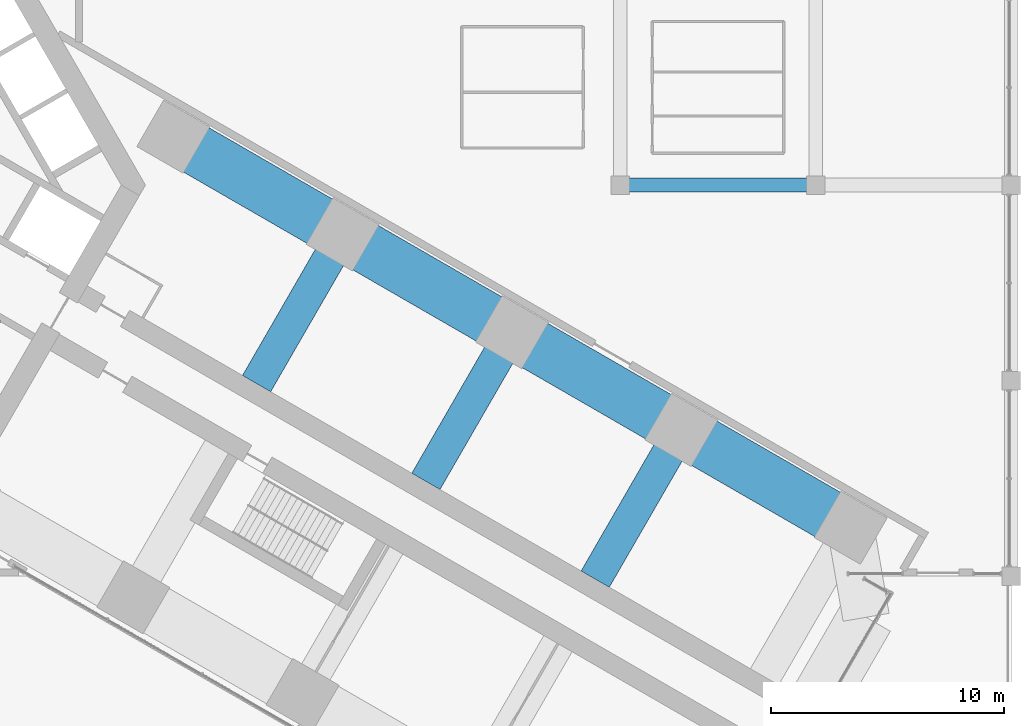
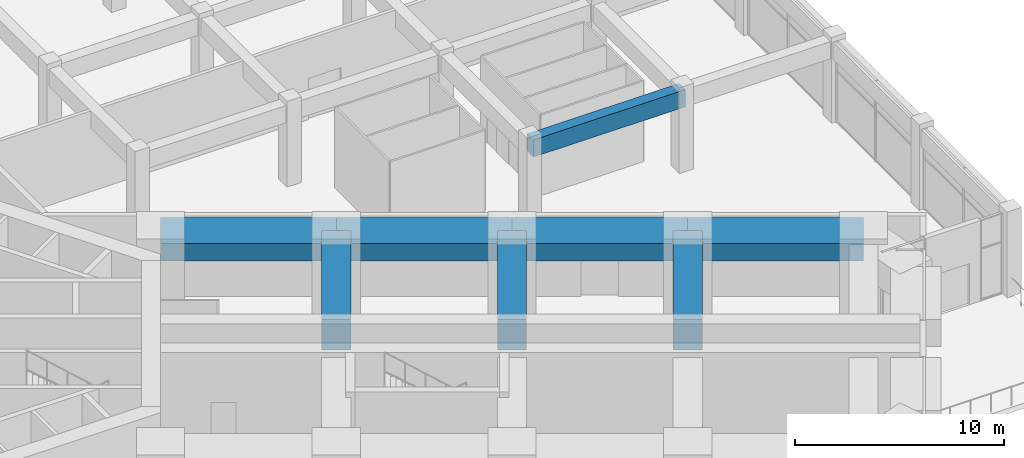
# One storey, part 13 of 34: 8 beams.
"""IFC4 building model written with IfcOpenShell, lengths in metres."""

from ifc_helpers import new_model, si_unit, direction, frame, origin, origin_2d, place, context, subcontext, project, spatial, rectangle, extrude, material, material_profile, profile_set, type_object, element, save


model = new_model("IFC4")

# Units and contexts
model_context = context("Model", 3, precision=1e-05, world=origin(), true_north=direction((0.0, 1.0)))
body_context = subcontext(model_context, "Body", "Model", "MODEL_VIEW")
ifc_project = project(units=[si_unit("LENGTHUNIT", "METRE"), si_unit("AREAUNIT", "SQUARE_METRE"), si_unit("VOLUMEUNIT", "CUBIC_METRE"), si_unit("PLANEANGLEUNIT", "RADIAN"), si_unit("MASSUNIT", "GRAM", prefix="KILO")], contexts=[model_context])

# Site, building, storey
site_placement = place(None, origin())
site = spatial("IfcSite", under=ifc_project, at=site_placement, CompositionType="ELEMENT")
building_placement = place(site_placement, origin())
building = spatial("IfcBuilding", under=site, at=building_placement, Name="Impinga Residences", CompositionType="ELEMENT")
storey_placement = place(building_placement, frame((0.0, 0.0, 16.0)))
storey = spatial("IfcBuildingStorey", under=building, at=storey_placement, Name="L03", CompositionType="ELEMENT", Elevation=16.0)

# Beams
ifc_material = material(Name="Concrete C60/75", Category="concrete")
ifc_material_profile_1 = material_profile(ifc_material, rectangle(XDim=1.39990234375, YDim=1.800048828125, at=origin_2d()), Name="RC 1400x1800")
ifc_profile_set_1 = profile_set([ifc_material_profile_1], Name="Concrete C60/75")
beam_type_1 = type_object("IfcBeamType", Name="CG4 1400x1800 cross girder on a wing bay line under the podium floors", PredefinedType="BEAM", material=ifc_profile_set_1)
beam_1_placement = place(storey_placement, frame((17.974609375, -8.530029296875, 3.800048828125), z_axis=(0.500003285667, 0.866023506795, 0.0), x_axis=(-0.866023506795, 0.500003285667, 0.0)))
element("IfcBeam", 1, at=beam_1_placement, inside=storey, type_object=beam_type_1, Name="Beam CG4 E2 EC/EA level L04", PredefinedType="BEAM", context=body_context, shape_type="SweptSolid", body=[
    extrude(rectangle(XDim=1.39990234375, YDim=1.800048828125, at=origin_2d()), origin(), (0.0, 0.0, 1.0), 7.39990234375),
])
for number, where, z_axis, x_axis, name in (
    (2, (25.249267578125, -12.730224609375, 3.800048828125), (0.499988999718, 0.866031754707, 0.0), (-0.866031754707, 0.499988999718, 0.0), "Beam CG4 E3 EC/EA level L04"),
    (3, (32.52392578125, -16.93017578125, 3.800048828125), (0.499988999718, 0.866031754707, 0.0), (-0.866031754707, 0.499988999718, 0.0), "Beam CG4 E4 EC/EA level L04"),
):
    element("IfcBeam", number, at=place(storey_placement, frame(where, z_axis=z_axis, x_axis=x_axis)), inside=storey, type_object=beam_type_1, Name=name, PredefinedType="BEAM", context=body_context, shape_type="SweptSolid", body=[
        extrude(rectangle(XDim=1.39990234375, YDim=1.800048828125, at=origin_2d()), origin(), (0.0, 0.0, 1.0), 7.400146484375),
    ])
ifc_material_profile_2 = material_profile(ifc_material, rectangle(XDim=0.60009765625, YDim=1.0, at=origin_2d()), Name="RC 600x1000")
ifc_profile_set_2 = profile_set([ifc_material_profile_2], Name="Concrete C60/75")
beam_type_2 = type_object("IfcBeamType", Name="PB2 600x1000 podium beam", PredefinedType="BEAM", material=ifc_profile_set_2)
beam_2_placement = place(storey_placement, frame((33.60009765625, 0.0, 4.199951171875), z_axis=(1.0, 0.0, 0.0), x_axis=(0.0, 1.0, 0.0)))
element("IfcBeam", 4, at=beam_2_placement, inside=storey, type_object=beam_type_2, Name="Beam PB2 F/11-12 level L04", PredefinedType="BEAM", context=body_context, shape_type="SweptSolid", body=[
    extrude(rectangle(XDim=0.60009765625, YDim=1.0, at=origin_2d()), origin(), (0.0, 0.0, 1.0), 8.39990234375),
])
ifc_material_profile_3 = material_profile(ifc_material, rectangle(XDim=2.199951171875, YDim=1.0, at=origin_2d()), Name="RC 2200x1000")
ifc_profile_set_3 = profile_set([ifc_material_profile_3], Name="Concrete C60/75")
beam_type_3 = type_object("IfcBeamType", Name="PB3 2200x1000 podium band beam", PredefinedType="BEAM", material=ifc_profile_set_3)
for number, where, z_axis, x_axis, name in (
    (5, (14.39990234375, 2.078369140625, 4.199951171875), (0.86602925447, -0.499993330357, 0.0), (0.499993330357, 0.86602925447, 0.0), "Beam PB3 EA E1-E2 level L04"),
    (6, (21.674560546875, -2.12158203125, 4.199951171875), (0.86602925447, -0.499993330357, 0.0), (0.499993330357, 0.86602925447, 0.0), "Beam PB3 EA E2-E3 level L04"),
    (7, (28.94921875, -6.321533203125, 4.199951171875), (0.86602925447, -0.499993330357, 0.0), (0.499993330357, 0.86602925447, 0.0), "Beam PB3 EA E3-E4 level L04"),
    (8, (36.223876953125, -10.521484375, 4.199951171875), (0.86602925447, -0.499993330357, 0.0), (0.499993330357, 0.86602925447, 0.0), "Beam PB3 EA E4-E5 level L04"),
):
    element("IfcBeam", number, at=place(storey_placement, frame(where, z_axis=z_axis, x_axis=x_axis)), inside=storey, type_object=beam_type_3, Name=name, PredefinedType="BEAM", context=body_context, shape_type="SweptSolid", body=[
        extrude(rectangle(XDim=2.199951171875, YDim=1.0, at=origin_2d()), origin(), (0.0, 0.0, 1.0), 8.39990234375),
    ])

save(model, "model.ifc")
